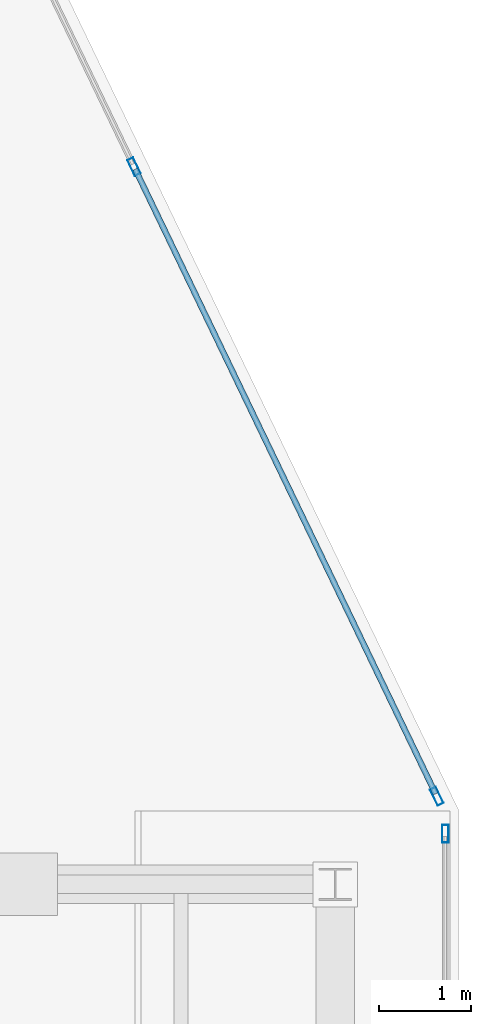
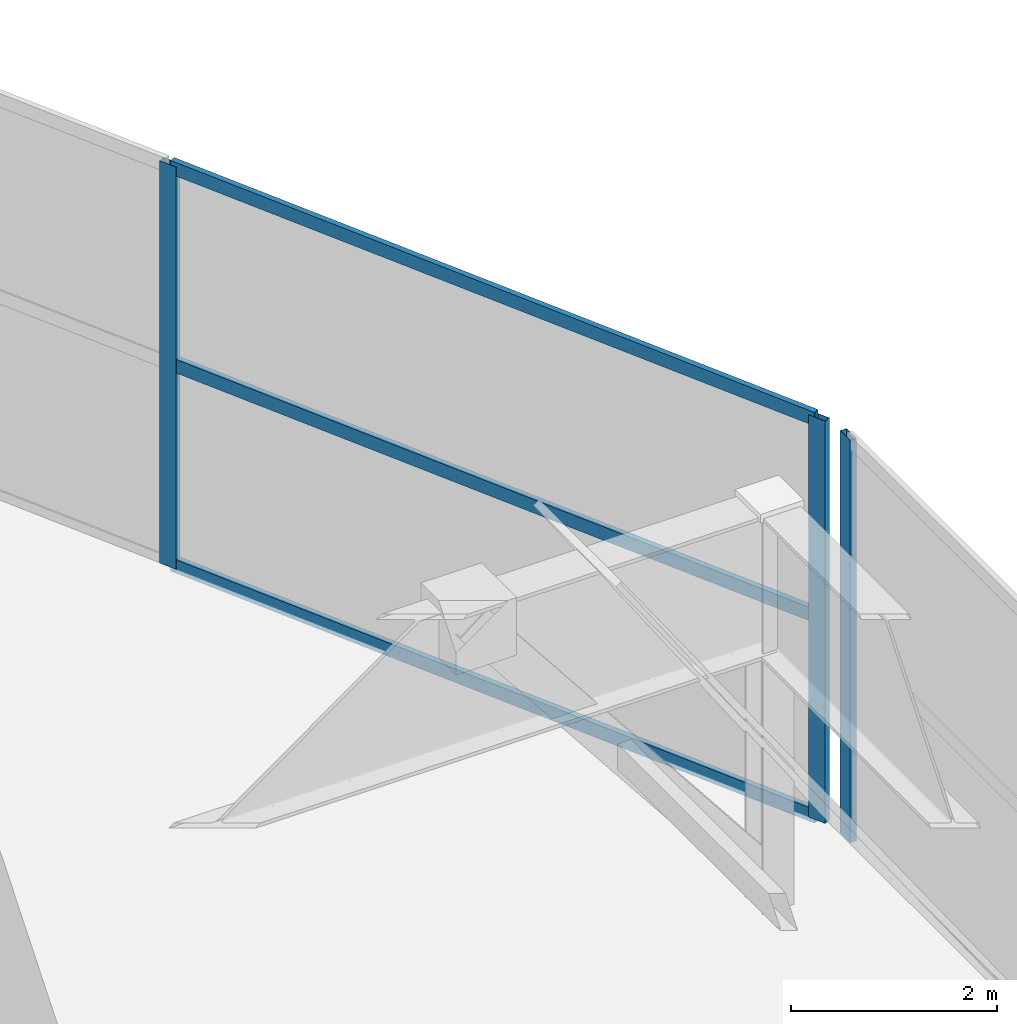
# One storey, part 11 of 20: 6 members, 2 elements without a shape of their own.
"""IFC4 building model written with IfcOpenShell, lengths in metres."""

from ifc_helpers import new_model, si_unit, direction, frame, origin, origin_2d, place, context, subcontext, project, spatial, hollow_rectangle, extrude, material, layer, layer_set, material_profile, profile_set, type_object, element, aggregate, save


model = new_model("IFC4")

# Units and contexts
model_context = context("Model", 3, precision=1e-05, world=origin(), true_north=direction((0.0, 1.0)))
body_context = subcontext(model_context, "Body", "Model", "MODEL_VIEW")
ifc_project = project(units=[si_unit("LENGTHUNIT", "METRE"), si_unit("AREAUNIT", "SQUARE_METRE"), si_unit("VOLUMEUNIT", "CUBIC_METRE"), si_unit("PLANEANGLEUNIT", "RADIAN"), si_unit("MASSUNIT", "GRAM", prefix="KILO")], contexts=[model_context])

# Site, building, storey
site_placement = place(None, origin())
site = spatial("IfcSite", under=ifc_project, at=site_placement, CompositionType="ELEMENT")
building_placement = place(site_placement, origin())
building = spatial("IfcBuilding", under=site, at=building_placement, Name="Calvorn Quay Hotel", CompositionType="ELEMENT")
storey_placement = place(building_placement, frame((0.0, 0.0, 335.5)))
storey = spatial("IfcBuildingStorey", under=building, at=storey_placement, Name="L82", CompositionType="ELEMENT", Elevation=335.5)

# Curtain wall, member
ifc_material_1 = material(Name="Pale Anodised Aluminium and Laminated Glass", Category="aluminium")
ifc_layer = layer(ifc_material_1, 0.219970703125)
ifc_layer_set = layer_set([ifc_layer], Name="CW-SYS-CRN")
curtain_wall_type = type_object("IfcCurtainWallType", Name="CW-SYS-CRN", PredefinedType="NOTDEFINED", material=ifc_layer_set)
curtain_wall_1_placement = place(storey_placement, origin())
curtain_wall_1 = element("IfcCurtainWall", 1, at=curtain_wall_1_placement, inside=storey, type_object=curtain_wall_type, Name="Crown Curtain Wall L82-C2", PredefinedType="NOTDEFINED")
ifc_material_2 = material(Name="Pale Anodised Aluminium 6063-T6", Category="aluminium")
ifc_material_profile_1 = material_profile(ifc_material_2, hollow_rectangle(XDim=0.072021484375, YDim=0.195068359375, WallThickness=0.00390625, at=origin_2d()), Name="ALU-M195x72x4")
ifc_profile_set_1 = profile_set([ifc_material_profile_1], Name="Pale Anodised Aluminium 6063-T6")
member_type_1 = type_object("IfcMemberType", Name="CW-SYS-CRN-MUL", PredefinedType="MULLION", material=ifc_profile_set_1)
member_1_placement = place(storey_placement, frame((24.5830078125, 24.14990234375, 0.0), z_axis=(0.0, 0.0, 1.0), x_axis=(-1.0, 0.0, 0.0)))
member_1 = element("IfcMember", 2, at=member_1_placement, type_object=member_type_1, Name="CW-L82-C2 mullion 3", PredefinedType="MULLION", context=body_context, shape_type="SweptSolid", body=[
    extrude(hollow_rectangle(XDim=0.072021484375, YDim=0.195068359375, WallThickness=0.00390625, at=origin_2d()), origin(), (0.0, 0.0, 1.0), 4.760009765625),
])
aggregate(curtain_wall_1, [member_1])

# Curtain wall, members
curtain_wall_2_placement = place(storey_placement, origin())
curtain_wall_2 = element("IfcCurtainWall", 3, at=curtain_wall_2_placement, inside=storey, type_object=curtain_wall_type, Name="Crown Curtain Wall L82-C3", PredefinedType="NOTDEFINED")
member_2_placement = place(storey_placement, frame((24.489990234375, 24.56005859375, 0.0), z_axis=(0.0, 0.0, 1.0), x_axis=(-0.901199390956, -0.433404727408, 0.0)))
member_2 = element("IfcMember", 4, at=member_2_placement, type_object=member_type_1, Name="CW-L82-C3 mullion 1", PredefinedType="MULLION", context=body_context, shape_type="SweptSolid", body=[
    extrude(hollow_rectangle(XDim=0.072021484375, YDim=0.195068359375, WallThickness=0.00390625, at=origin_2d()), origin(), (0.0, 0.0, 1.0), 4.760009765625),
])
member_3_placement = place(storey_placement, frame((21.1884765625, 31.425048828125, 0.0), z_axis=(0.0, 0.0, 1.0), x_axis=(-0.901199390956, -0.433404727408, 0.0)))
member_3 = element("IfcMember", 5, at=member_3_placement, type_object=member_type_1, Name="CW-L82-C3 mullion 2", PredefinedType="MULLION", context=body_context, shape_type="SweptSolid", body=[
    extrude(hollow_rectangle(XDim=0.072021484375, YDim=0.195068359375, WallThickness=0.00390625, at=origin_2d()), origin(), (0.0, 0.0, 1.0), 4.760009765625),
])
ifc_material_3 = material(Name="Pale Anodised Aluminium 6063-T6", Category="aluminium")
ifc_material_profile_2 = material_profile(ifc_material_3, hollow_rectangle(XDim=0.06201171875, YDim=0.159912109375, WallThickness=0.00341796875, at=origin_2d()), Name="ALU-T160x62x3.5")
ifc_profile_set_2 = profile_set([ifc_material_profile_2], Name="Pale Anodised Aluminium 6063-T6")
member_type_2 = type_object("IfcMemberType", Name="CW-SYS-CRN-TRN", PredefinedType="USERDEFINED", material=ifc_profile_set_2)
member_4_placement = place(storey_placement, frame((24.47705078125, 24.587158203125, 0.030029296875), z_axis=(-0.433425122002, 0.901189582506, 0.0), x_axis=(-0.901189582506, -0.433425122002, 0.0)))
member_4 = element("IfcMember", 6, at=member_4_placement, type_object=member_type_2, Name="CW-L82-C3 transom 1.1", ObjectType="TRANSOM", PredefinedType="USERDEFINED", context=body_context, shape_type="SweptSolid", body=[
    extrude(hollow_rectangle(XDim=0.06201171875, YDim=0.159912109375, WallThickness=0.00341796875, at=origin_2d()), origin(), (0.0, 0.0, 1.0), 7.5576171875),
])
member_5_placement = place(storey_placement, frame((24.47705078125, 24.587158203125, 2.39990234375), z_axis=(-0.433425122002, 0.901189582506, 0.0), x_axis=(-0.901189582506, -0.433425122002, 0.0)))
member_5 = element("IfcMember", 7, at=member_5_placement, type_object=member_type_2, Name="CW-L82-C3 transom 1.2", ObjectType="TRANSOM", PredefinedType="USERDEFINED", context=body_context, shape_type="SweptSolid", body=[
    extrude(hollow_rectangle(XDim=0.06201171875, YDim=0.159912109375, WallThickness=0.00341796875, at=origin_2d()), origin(), (0.0, 0.0, 1.0), 7.5576171875),
])
member_6_placement = place(storey_placement, frame((24.47705078125, 24.587158203125, 4.72998046875), z_axis=(-0.433425122002, 0.901189582506, 0.0), x_axis=(-0.901189582506, -0.433425122002, 0.0)))
member_6 = element("IfcMember", 8, at=member_6_placement, type_object=member_type_2, Name="CW-L82-C3 transom 1.3", ObjectType="TRANSOM", PredefinedType="USERDEFINED", context=body_context, shape_type="SweptSolid", body=[
    extrude(hollow_rectangle(XDim=0.06201171875, YDim=0.159912109375, WallThickness=0.00341796875, at=origin_2d()), origin(), (0.0, 0.0, 1.0), 7.5576171875),
])
aggregate(curtain_wall_2, [member_2, member_3, member_4, member_5, member_6])

save(model, "model.ifc")
